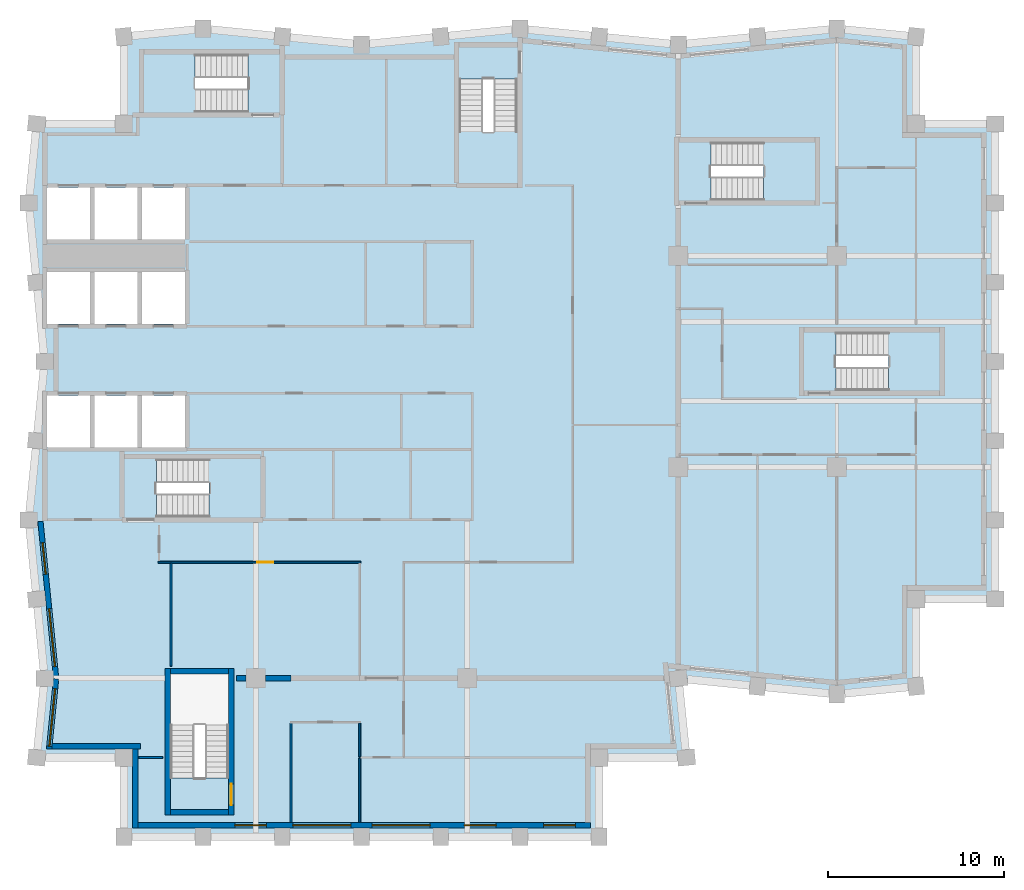
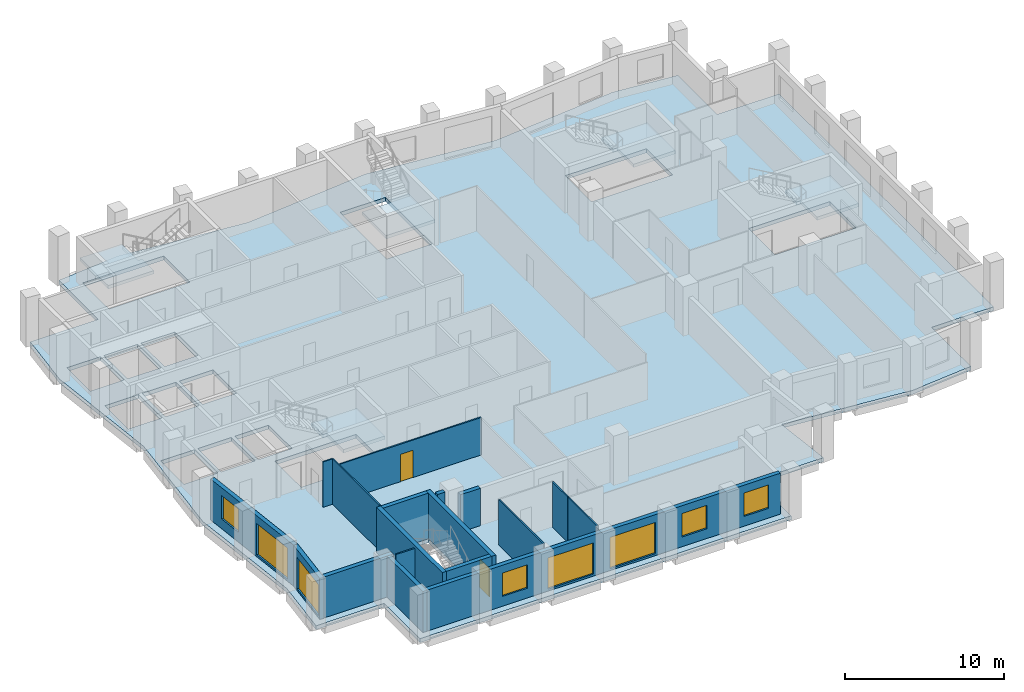
# One storey, part 2 of 8: 18 walls, 8 windows, 6 slabs, 2 doors, 10 openings, 5 elements without a shape of their own.
"""IFC4 building model written with IfcOpenShell, lengths in metres."""

from ifc_helpers import new_model, si_unit, direction, frame, frame_2d, origin, place, context, subcontext, project, spatial, polyline, rectangle, outline, extrude, material, layer, layer_set, type_object, element, fill, aggregate, save


model = new_model("IFC4")

# Units and contexts
model_context = context("Model", 3, precision=1e-05, world=origin(), true_north=direction((0.0, 1.0)))
body_context = subcontext(model_context, "Body", "Model", "MODEL_VIEW")
ifc_project = project(units=[si_unit("LENGTHUNIT", "METRE"), si_unit("AREAUNIT", "SQUARE_METRE"), si_unit("VOLUMEUNIT", "CUBIC_METRE"), si_unit("PLANEANGLEUNIT", "RADIAN"), si_unit("MASSUNIT", "GRAM", prefix="KILO")], contexts=[model_context])

# Site, building, storey
site_placement = place(None, origin())
site = spatial("IfcSite", under=ifc_project, at=site_placement, CompositionType="ELEMENT")
building_placement = place(site_placement, origin())
building = spatial("IfcBuilding", under=site, at=building_placement, Name="Brondeck Convention Tower", CompositionType="ELEMENT")
storey_placement = place(building_placement, frame((0.0, 0.0, 214.0)))
storey = spatial("IfcBuildingStorey", under=building, at=storey_placement, Name="L52", CompositionType="ELEMENT", Elevation=214.0)

# Slab
ifc_material_1 = material(Name="Concrete C35/45", Category="concrete")
ifc_layer_1 = layer(ifc_material_1, 0.300048828125)
ifc_layer_set_1 = layer_set([ifc_layer_1], Name="Composite floor slab 300")
slab_type_1 = type_object("IfcSlabType", Name="Composite floor slab 300", PredefinedType="FLOOR", material=ifc_layer_set_1)
slab_1_placement = place(storey_placement, frame((0.0, 0.0, -0.300048828125)))
element("IfcSlab", 1, at=slab_1_placement, inside=storey, type_object=slab_type_1, Name="STR-SL-L52", PredefinedType="FLOOR", context=body_context, shape_type="SweptSolid", body=[
    extrude(outline(polyline([(4.5, 22.5), (-0.449951171875, 22.5), (0.0, 27.0), (-0.89990234375, 36.0), (0.0, 45.0), (-0.89990234375, 54.0), (-0.449951171875, 58.5), (4.5, 58.5), (4.5, 63.449951171875), (9.0, 63.89990234375), (18.0, 63.0), (27.0, 63.89990234375), (36.0, 63.0), (45.0, 63.89990234375), (49.5, 63.449951171875), (49.5, 58.5), (54.0, 58.5), (54.0, 31.5), (49.5, 31.5), (49.5, 26.550048828125), (45.0, 26.10009765625), (36.0, 27.0), (36.449951171875, 22.5), (31.5, 22.5), (31.5, 18.0), (4.5, 18.0), (4.5, 22.5)]), holes=[polyline([(2.574951171875, 43.074951171875), (0.125, 43.074951171875), (0.125, 40.125), (2.574951171875, 40.125), (2.574951171875, 43.074951171875)]), polyline([(5.27490234375, 40.125), (5.27490234375, 43.074951171875), (2.824951171875, 43.074951171875), (2.824951171875, 40.125), (5.27490234375, 40.125)]), polyline([(7.97509765625, 40.125), (7.97509765625, 43.074951171875), (5.52490234375, 43.074951171875), (5.52490234375, 40.125), (7.97509765625, 40.125)]), polyline([(2.574951171875, 47.125), (2.574951171875, 50.074951171875), (0.125, 50.074951171875), (0.125, 47.125), (2.574951171875, 47.125)]), polyline([(5.27490234375, 47.125), (5.27490234375, 50.074951171875), (2.824951171875, 50.074951171875), (2.824951171875, 47.125), (5.27490234375, 47.125)]), polyline([(7.97509765625, 47.125), (7.97509765625, 50.074951171875), (5.52490234375, 50.074951171875), (5.52490234375, 47.125), (7.97509765625, 47.125)]), polyline([(2.574951171875, 51.925048828125), (2.574951171875, 54.875), (0.125, 54.875), (0.125, 51.925048828125), (2.574951171875, 51.925048828125)]), polyline([(5.27490234375, 51.925048828125), (5.27490234375, 54.875), (2.824951171875, 54.875), (2.824951171875, 51.925048828125), (5.27490234375, 51.925048828125)]), polyline([(10.447998046875, 27.248046875), (7.152099609375, 27.248046875), (7.152099609375, 21.35205078125), (10.447998046875, 21.35205078125), (10.447998046875, 27.248046875)]), polyline([(12.248046875, 36.152099609375), (12.248046875, 39.447998046875), (6.35205078125, 39.447998046875), (6.35205078125, 36.152099609375), (12.248046875, 36.152099609375)]), polyline([(50.847900390625, 43.35205078125), (50.847900390625, 46.64794921875), (44.951904296875, 46.64794921875), (44.951904296875, 43.35205078125), (50.847900390625, 43.35205078125)]), polyline([(7.97509765625, 51.925048828125), (7.97509765625, 54.875), (5.52490234375, 54.875), (5.52490234375, 51.925048828125), (7.97509765625, 51.925048828125)]), polyline([(43.748046875, 54.152099609375), (43.748046875, 57.447998046875), (37.85205078125, 57.447998046875), (37.85205078125, 54.152099609375), (43.748046875, 54.152099609375)]), polyline([(23.552001953125, 55.152099609375), (26.847900390625, 55.152099609375), (26.847900390625, 61.048095703125), (23.552001953125, 61.048095703125), (23.552001953125, 55.152099609375)]), polyline([(5.652099609375, 62.447998046875), (5.652099609375, 59.152099609375), (11.548095703125, 59.152099609375), (11.548095703125, 62.447998046875), (5.652099609375, 62.447998046875)])]), origin(), (0.0, 0.0, 1.0), 0.300048828125),
])

# Stair, slab
ifc_material_2 = material(Name="Precast concrete C50/60", Category="concrete")
stair_type = type_object("IfcStairType", Name="Core stair 22 risers 172.73 mm riser 300 mm going 1350 wide", PredefinedType="HALF_TURN_STAIR", material=ifc_material_2)
stair_1_placement = place(storey_placement, origin())
stair_1 = element("IfcStair", 2, at=stair_1_placement, inside=storey, type_object=stair_type, Name="ST-1 L52 stair", PredefinedType="HALF_TURN_STAIR")
ifc_layer_2 = layer(ifc_material_2, 0.25)
ifc_layer_set_2 = layer_set([ifc_layer_2], Name="Core stair landing 250 Precast concrete C50/60")
slab_type_2 = type_object("IfcSlabType", Name="Core stair landing 250 Precast concrete C50/60", PredefinedType="LANDING", material=ifc_layer_set_2)
slab_2_placement = place(storey_placement, frame((0.0, 0.0, 1.64990234375)))
slab_2 = element("IfcSlab", 3, at=slab_2_placement, type_object=slab_type_2, Name="ST-1 landing 1", PredefinedType="LANDING", context=body_context, shape_type="SweptSolid", body=[
    extrude(outline(polyline([(9.347900390625, 37.5), (9.35009765625, 37.5), (9.35009765625, 38.10009765625), (9.050048828125, 38.10009765625), (9.050048828125, 39.570068359375), (12.3701171875, 39.570068359375), (12.3701171875, 36.030029296875), (9.347900390625, 36.030029296875), (9.347900390625, 37.5)])), origin(), (0.0, 0.0, 1.0), 0.25),
])
aggregate(stair_1, [slab_2])

stair_2_placement = place(storey_placement, origin())
stair_2 = element("IfcStair", 4, at=stair_2_placement, inside=storey, type_object=stair_type, Name="ST-2 L52 stair", PredefinedType="HALF_TURN_STAIR")
slab_3_placement = place(storey_placement, frame((0.0, 0.0, 1.64990234375)))
slab_3 = element("IfcSlab", 5, at=slab_3_placement, type_object=slab_type_2, Name="ST-2 landing 1", PredefinedType="LANDING", context=body_context, shape_type="SweptSolid", body=[
    extrude(outline(polyline([(23.429931640625, 58.052001953125), (24.89990234375, 58.052001953125), (24.89990234375, 58.050048828125), (25.5, 58.050048828125), (25.5, 58.35009765625), (26.969970703125, 58.35009765625), (26.969970703125, 55.030029296875), (23.429931640625, 55.030029296875), (23.429931640625, 58.052001953125)])), origin(), (0.0, 0.0, 1.0), 0.25),
])
aggregate(stair_2, [slab_3])

stair_3_placement = place(storey_placement, origin())
stair_3 = element("IfcStair", 6, at=stair_3_placement, inside=storey, type_object=stair_type, Name="ST-3 L52 stair", PredefinedType="HALF_TURN_STAIR")
slab_4_placement = place(storey_placement, frame((0.0, 0.0, 1.64990234375)))
slab_4 = element("IfcSlab", 7, at=slab_4_placement, type_object=slab_type_2, Name="ST-3 landing 1", PredefinedType="LANDING", context=body_context, shape_type="SweptSolid", body=[
    extrude(outline(polyline([(8.85009765625, 60.5), (8.85009765625, 59.030029296875), (5.530029296875, 59.030029296875), (5.530029296875, 62.570068359375), (8.552001953125, 62.570068359375), (8.552001953125, 61.10009765625), (8.550048828125, 61.10009765625), (8.550048828125, 60.5), (8.85009765625, 60.5)])), origin(), (0.0, 0.0, 1.0), 0.25),
])
aggregate(stair_3, [slab_4])

stair_4_placement = place(storey_placement, origin())
stair_4 = element("IfcStair", 8, at=stair_4_placement, inside=storey, type_object=stair_type, Name="ST-AE L52 stair", PredefinedType="HALF_TURN_STAIR")
slab_5_placement = place(storey_placement, frame((0.0, 0.0, 1.64990234375)))
slab_5 = element("IfcSlab", 9, at=slab_5_placement, type_object=slab_type_2, Name="ST-AE landing 1", PredefinedType="LANDING", context=body_context, shape_type="SweptSolid", body=[
    extrude(outline(polyline([(40.847900390625, 55.5), (40.85009765625, 55.5), (40.85009765625, 56.10009765625), (40.550048828125, 56.10009765625), (40.550048828125, 57.570068359375), (43.8701171875, 57.570068359375), (43.8701171875, 54.030029296875), (40.847900390625, 54.030029296875), (40.847900390625, 55.5)])), origin(), (0.0, 0.0, 1.0), 0.25),
])
aggregate(stair_4, [slab_5])

stair_5_placement = place(storey_placement, origin())
stair_5 = element("IfcStair", 10, at=stair_5_placement, inside=storey, type_object=stair_type, Name="ST-AF L52 stair", PredefinedType="HALF_TURN_STAIR")
slab_6_placement = place(storey_placement, frame((0.0, 0.0, 1.64990234375)))
slab_6 = element("IfcSlab", 11, at=slab_6_placement, type_object=slab_type_2, Name="ST-AF landing 1", PredefinedType="LANDING", context=body_context, shape_type="SweptSolid", body=[
    extrude(outline(polyline([(47.947998046875, 44.699951171875), (47.949951171875, 44.699951171875), (47.949951171875, 45.300048828125), (47.64990234375, 45.300048828125), (47.64990234375, 46.77001953125), (50.969970703125, 46.77001953125), (50.969970703125, 43.22998046875), (47.947998046875, 43.22998046875), (47.947998046875, 44.699951171875)])), origin(), (0.0, 0.0, 1.0), 0.25),
])
aggregate(stair_5, [slab_6])

# Walls
ifc_material_3 = material(Name="Concrete compartment wall C30/37", Category="concrete")
ifc_layer_3 = layer(ifc_material_3, 0.300048828125)
ifc_layer_set_3 = layer_set([ifc_layer_3], Name="Compartment wall 300")
wall_type_1 = type_object("IfcWallType", Name="Compartment wall 300", PredefinedType="PARTITIONING", material=ifc_layer_set_3)
wall_1_placement = place(storey_placement, frame((10.89990234375, 27.0, 0.0), z_axis=(0.0, 0.0, 1.0), x_axis=(1.0, 0.0, 0.0)))
element("IfcWall", 12, at=wall_1_placement, inside=storey, type_object=wall_type_1, Name="FLR-L52-W013", PredefinedType="PARTITIONING", context=body_context, shape_type="SweptSolid", body=[
    extrude(rectangle(XDim=0.545166015625, YDim=0.300048828125, at=frame_2d((0.2724609375, 0.0))), origin(), (0.0, 0.0, 1.0), 3.47998046875),
])
wall_2_placement = place(storey_placement, frame((12.554931640625, 27.0, 0.0), z_axis=(0.0, 0.0, 1.0), x_axis=(1.0, 0.0, 0.0)))
element("IfcWall", 13, at=wall_2_placement, inside=storey, type_object=wall_type_1, Name="FLR-L52-W014", PredefinedType="PARTITIONING", context=body_context, shape_type="SweptSolid", body=[
    extrude(rectangle(XDim=1.445068359375, YDim=0.300048828125, at=frame_2d((0.72265625, 0.0))), origin(), (0.0, 0.0, 1.0), 2.8798828125),
])

# Wall, openings, windows
ifc_material_4 = material(Name="Precast concrete C50/60 bronze finish", Category="concrete")
ifc_layer_4 = layer(ifc_material_4, 0.070068359375, Name="Bronze precast facing")
ifc_material_5 = material(Name="Mineral wool")
ifc_layer_5 = layer(ifc_material_5, 0.159912109375, Name="Insulation")
ifc_layer_6 = layer(ifc_material_1, 0.070068359375, Name="Backing")
ifc_layer_set_4 = layer_set([ifc_layer_4, ifc_layer_5, ifc_layer_6], Name="External infill wall, precast concrete C50/60 bronze facing")
wall_type_2 = type_object("IfcWallType", Name="External infill wall, precast concrete C50/60 bronze facing", PredefinedType="SOLIDWALL", material=ifc_layer_set_4)
wall_3_placement = place(storey_placement, frame((31.0, 18.64990234375, 0.0), z_axis=(0.0, 0.0, 1.0), x_axis=(-1.0, 0.0, 0.0)))
wall_3 = element("IfcWall", 14, at=wall_3_placement, inside=storey, type_object=wall_type_2, Name="ENV-EW-L52-P2-B-S18-01", PredefinedType="SOLIDWALL", context=body_context, shape_type="SweptSolid", body=[
    extrude(rectangle(XDim=25.699951171875, YDim=0.300048828125, at=frame_2d((12.85009765625, 0.0))), origin(), (0.0, 0.0, 1.0), 3.14990234375),
])
opening_1_placement = place(wall_3_placement, frame((0.85009765625, 0.0, 0.75)))
opening_1 = element("IfcOpeningElement", 15, at=opening_1_placement, cuts=wall_3, Name="Opening W10", PredefinedType="OPENING", context=body_context, shape_type="SweptSolid", body=[
    extrude(rectangle(XDim=1.800048828125, YDim=1.800048828125, at=frame_2d((0.89990234375, 0.89990234375))), frame((0.0, 0.159912109375, 0.0), z_axis=(0.0, -1.0, 0.0), x_axis=(1.0, 0.0, 0.0)), (0.0, 0.0, 1.0), 0.320068359375),
])
opening_2_placement = place(wall_3_placement, frame((5.35009765625, 0.0, 0.75)))
opening_2 = element("IfcOpeningElement", 16, at=opening_2_placement, cuts=wall_3, Name="Opening W10", PredefinedType="OPENING", context=body_context, shape_type="SweptSolid", body=[
    extrude(rectangle(XDim=1.800048828125, YDim=1.800048828125, at=frame_2d((0.89990234375, 0.89990234375))), frame((0.0, 0.159912109375, 0.0), z_axis=(0.0, -1.0, 0.0), x_axis=(1.0, 0.0, 0.0)), (0.0, 0.0, 1.0), 0.320068359375),
])
opening_3_placement = place(wall_3_placement, frame((9.10009765625, 0.0, 0.14990234375)))
opening_3 = element("IfcOpeningElement", 17, at=opening_3_placement, cuts=wall_3, Name="Opening W9", PredefinedType="OPENING", context=body_context, shape_type="SweptSolid", body=[
    extrude(rectangle(XDim=3.300048828125, YDim=2.39990234375, at=frame_2d((1.64990234375, 1.199951171875))), frame((0.0, 0.159912109375, 0.0), z_axis=(0.0, -1.0, 0.0), x_axis=(1.0, 0.0, 0.0)), (0.0, 0.0, 1.0), 0.320068359375),
])
opening_4_placement = place(wall_3_placement, frame((13.60009765625, 0.0, 0.14990234375)))
opening_4 = element("IfcOpeningElement", 18, at=opening_4_placement, cuts=wall_3, Name="Opening W9", PredefinedType="OPENING", context=body_context, shape_type="SweptSolid", body=[
    extrude(rectangle(XDim=3.300048828125, YDim=2.39990234375, at=frame_2d((1.64990234375, 1.199951171875))), frame((0.0, 0.159912109375, 0.0), z_axis=(0.0, -1.0, 0.0), x_axis=(1.0, 0.0, 0.0)), (0.0, 0.0, 1.0), 0.320068359375),
])
opening_5_placement = place(wall_3_placement, frame((18.39990234375, 0.0, 0.75)))
opening_5 = element("IfcOpeningElement", 19, at=opening_5_placement, cuts=wall_3, Name="Opening W10", PredefinedType="OPENING", context=body_context, shape_type="SweptSolid", body=[
    extrude(rectangle(XDim=1.800048828125, YDim=1.800048828125, at=frame_2d((0.89990234375, 0.89990234375))), frame((0.0, 0.159912109375, 0.0), z_axis=(0.0, -1.0, 0.0), x_axis=(1.0, 0.0, 0.0)), (0.0, 0.0, 1.0), 0.320068359375),
])
ifc_material_6 = material(Name="Bronze tinted double glazing", Category="glass")
window_type_1 = type_object("IfcWindowType", Name="Glazed flute window, bronze tinted", PartitioningType="SINGLE_PANEL", PredefinedType="WINDOW", material=ifc_material_6)
window_1_placement = place(opening_3_placement, origin())
window_1 = element("IfcWindow", 20, at=window_1_placement, inside=storey, type_object=window_type_1, Name="ENV-WN-L52-P2-B-S18-04", OverallHeight=2.39990234375, OverallWidth=3.300048828125, PartitioningType="SINGLE_PANEL", PredefinedType="WINDOW", context=body_context, shape_type="SweptSolid", body=[
    extrude(rectangle(XDim=3.300048828125, YDim=2.39990234375, at=frame_2d((1.64990234375, 1.199951171875))), frame((0.0, 0.030029296875, 0.0), z_axis=(0.0, -1.0, 0.0), x_axis=(1.0, 0.0, 0.0)), (0.0, 0.0, 1.0), 0.06005859375),
])
fill(opening_3, window_1)
window_2_placement = place(opening_4_placement, origin())
window_2 = element("IfcWindow", 21, at=window_2_placement, inside=storey, type_object=window_type_1, Name="ENV-WN-L52-P2-B-S18-03", OverallHeight=2.39990234375, OverallWidth=3.300048828125, PartitioningType="SINGLE_PANEL", PredefinedType="WINDOW", context=body_context, shape_type="SweptSolid", body=[
    extrude(rectangle(XDim=3.300048828125, YDim=2.39990234375, at=frame_2d((1.64990234375, 1.199951171875))), frame((0.0, 0.030029296875, 0.0), z_axis=(0.0, -1.0, 0.0), x_axis=(1.0, 0.0, 0.0)), (0.0, 0.0, 1.0), 0.06005859375),
])
fill(opening_4, window_2)
window_type_2 = type_object("IfcWindowType", Name="Punched window, bronze tinted", PartitioningType="SINGLE_PANEL", PredefinedType="WINDOW", material=ifc_material_6)
window_3_placement = place(opening_1_placement, origin())
window_3 = element("IfcWindow", 22, at=window_3_placement, inside=storey, type_object=window_type_2, Name="ENV-WN-L52-P2-B-S18-06", OverallHeight=1.800048828125, OverallWidth=1.800048828125, PartitioningType="SINGLE_PANEL", PredefinedType="WINDOW", context=body_context, shape_type="SweptSolid", body=[
    extrude(rectangle(XDim=1.800048828125, YDim=1.800048828125, at=frame_2d((0.89990234375, 0.89990234375))), frame((0.0, 0.030029296875, 0.0), z_axis=(0.0, -1.0, 0.0), x_axis=(1.0, 0.0, 0.0)), (0.0, 0.0, 1.0), 0.06005859375),
])
fill(opening_1, window_3)
window_4_placement = place(opening_2_placement, origin())
window_4 = element("IfcWindow", 23, at=window_4_placement, inside=storey, type_object=window_type_2, Name="ENV-WN-L52-P2-B-S18-05", OverallHeight=1.800048828125, OverallWidth=1.800048828125, PartitioningType="SINGLE_PANEL", PredefinedType="WINDOW", context=body_context, shape_type="SweptSolid", body=[
    extrude(rectangle(XDim=1.800048828125, YDim=1.800048828125, at=frame_2d((0.89990234375, 0.89990234375))), frame((0.0, 0.030029296875, 0.0), z_axis=(0.0, -1.0, 0.0), x_axis=(1.0, 0.0, 0.0)), (0.0, 0.0, 1.0), 0.06005859375),
])
fill(opening_2, window_4)
window_5_placement = place(opening_5_placement, origin())
window_5 = element("IfcWindow", 24, at=window_5_placement, inside=storey, type_object=window_type_2, Name="ENV-WN-L52-P2-B-S18-02", OverallHeight=1.800048828125, OverallWidth=1.800048828125, PartitioningType="SINGLE_PANEL", PredefinedType="WINDOW", context=body_context, shape_type="SweptSolid", body=[
    extrude(rectangle(XDim=1.800048828125, YDim=1.800048828125, at=frame_2d((0.89990234375, 0.89990234375))), frame((0.0, 0.030029296875, 0.0), z_axis=(0.0, -1.0, 0.0), x_axis=(1.0, 0.0, 0.0)), (0.0, 0.0, 1.0), 0.06005859375),
])
fill(opening_5, window_5)

wall_4_placement = place(storey_placement, frame((0.65478515625, 26.985107421875, 0.0), z_axis=(0.0, 0.0, 1.0), x_axis=(-0.099509105781, 0.995036651519, 0.0)))
wall_4 = element("IfcWall", 25, at=wall_4_placement, inside=storey, type_object=wall_type_2, Name="ENV-EW-L52-P2-B-W-06", PredefinedType="SOLIDWALL", context=body_context, shape_type="SweptSolid", body=[
    extrude(rectangle(XDim=8.974609375, YDim=0.300048828125, at=frame_2d((4.4873046875, 0.0))), origin(), (0.0, 0.0, 1.0), 3.14990234375),
])
opening_6_placement = place(wall_4_placement, frame((0.691162109375, 0.0, 0.14990234375)))
opening_6 = element("IfcOpeningElement", 26, at=opening_6_placement, cuts=wall_4, Name="Opening W9", PredefinedType="OPENING", context=body_context, shape_type="SweptSolid", body=[
    extrude(rectangle(XDim=3.300048828125, YDim=2.39990234375, at=frame_2d((1.64990234375, 1.199951171875))), frame((0.0, 0.159912109375, 0.0), z_axis=(0.0, -1.0, 0.0), x_axis=(1.0, 0.0, 0.0)), (0.0, 0.0, 1.0), 0.320068359375),
])
opening_7_placement = place(wall_4_placement, frame((5.963623046875, 0.0, 0.75)))
opening_7 = element("IfcOpeningElement", 27, at=opening_7_placement, cuts=wall_4, Name="Opening W10", PredefinedType="OPENING", context=body_context, shape_type="SweptSolid", body=[
    extrude(rectangle(XDim=1.800048828125, YDim=1.800048828125, at=frame_2d((0.89990234375, 0.89990234375))), frame((0.0, 0.159912109375, 0.0), z_axis=(0.0, -1.0, 0.0), x_axis=(1.0, 0.0, 0.0)), (0.0, 0.0, 1.0), 0.320068359375),
])
window_6_placement = place(opening_6_placement, origin())
window_6 = element("IfcWindow", 28, at=window_6_placement, inside=storey, type_object=window_type_1, Name="ENV-WN-L52-P2-B-W-07", OverallHeight=2.39990234375, OverallWidth=3.300048828125, PartitioningType="SINGLE_PANEL", PredefinedType="WINDOW", context=body_context, shape_type="SweptSolid", body=[
    extrude(rectangle(XDim=3.300048828125, YDim=2.39990234375, at=frame_2d((1.64990234375, 1.199951171875))), frame((0.0, 0.030029296875, 0.0), z_axis=(0.0, -1.0, 0.0), x_axis=(1.0, 0.0, 0.0)), (0.0, 0.0, 1.0), 0.06005859375),
])
fill(opening_6, window_6)
window_7_placement = place(opening_7_placement, origin())
window_7 = element("IfcWindow", 29, at=window_7_placement, inside=storey, type_object=window_type_2, Name="ENV-WN-L52-P2-B-W-06", OverallHeight=1.800048828125, OverallWidth=1.800048828125, PartitioningType="SINGLE_PANEL", PredefinedType="WINDOW", context=body_context, shape_type="SweptSolid", body=[
    extrude(rectangle(XDim=1.800048828125, YDim=1.800048828125, at=frame_2d((0.89990234375, 0.89990234375))), frame((0.0, 0.030029296875, 0.0), z_axis=(0.0, -1.0, 0.0), x_axis=(1.0, 0.0, 0.0)), (0.0, 0.0, 1.0), 0.06005859375),
])
fill(opening_7, window_7)

# Wall, opening, window
wall_5_placement = place(storey_placement, frame((0.251708984375, 22.985107421875, 0.0), z_axis=(0.0, 0.0, 1.0), x_axis=(0.09954596771, 0.995032964435, 0.0)))
wall_5 = element("IfcWall", 30, at=wall_5_placement, inside=storey, type_object=wall_type_2, Name="ENV-EW-L52-P2-B-W-08", PredefinedType="SOLIDWALL", context=body_context, shape_type="SweptSolid", body=[
    extrude(rectangle(XDim=4.0048828125, YDim=0.300048828125, at=frame_2d((2.00244140625, 0.0))), origin(), (0.0, 0.0, 1.0), 3.14990234375),
])
opening_8_placement = place(wall_5_placement, frame((0.14990234375, 0.0, 0.14990234375)))
opening_8 = element("IfcOpeningElement", 31, at=opening_8_placement, cuts=wall_5, Name="Opening W9", PredefinedType="OPENING", context=body_context, shape_type="SweptSolid", body=[
    extrude(rectangle(XDim=3.300048828125, YDim=2.39990234375, at=frame_2d((1.64990234375, 1.199951171875))), frame((0.0, 0.159912109375, 0.0), z_axis=(0.0, -1.0, 0.0), x_axis=(1.0, 0.0, 0.0)), (0.0, 0.0, 1.0), 0.320068359375),
])
window_8_placement = place(opening_8_placement, origin())
window_8 = element("IfcWindow", 32, at=window_8_placement, inside=storey, type_object=window_type_1, Name="ENV-WN-L52-P2-B-W-08", OverallHeight=2.39990234375, OverallWidth=3.300048828125, PartitioningType="SINGLE_PANEL", PredefinedType="WINDOW", context=body_context, shape_type="SweptSolid", body=[
    extrude(rectangle(XDim=3.300048828125, YDim=2.39990234375, at=frame_2d((1.64990234375, 1.199951171875))), frame((0.0, 0.030029296875, 0.0), z_axis=(0.0, -1.0, 0.0), x_axis=(1.0, 0.0, 0.0)), (0.0, 0.0, 1.0), 0.06005859375),
])
fill(opening_8, window_8)

# Walls
wall_6_placement = place(storey_placement, frame((5.449951171875, 23.14990234375, 0.0), z_axis=(0.0, 0.0, 1.0), x_axis=(-1.0, 0.0, 0.0)))
element("IfcWall", 33, at=wall_6_placement, inside=storey, type_object=wall_type_2, Name="ENV-EW-L52-P2-NC-SWB18-01", PredefinedType="SOLIDWALL", context=body_context, shape_type="SweptSolid", body=[
    extrude(rectangle(XDim=5.025634765625, YDim=0.300048828125, at=frame_2d((2.5126953125, 0.0))), origin(), (0.0, 0.0, 1.0), 3.14990234375),
])
wall_7_placement = place(storey_placement, frame((5.14990234375, 18.5, 0.0), z_axis=(0.0, 0.0, 1.0), x_axis=(0.0, 1.0, 0.0)))
element("IfcWall", 34, at=wall_7_placement, inside=storey, type_object=wall_type_2, Name="ENV-EW-L52-P2-NC-SWB18-02", PredefinedType="SOLIDWALL", context=body_context, shape_type="SweptSolid", body=[
    extrude(rectangle(XDim=4.5, YDim=0.300048828125, at=frame_2d((2.25, 0.0))), origin(), (0.0, 0.0, 1.0), 3.14990234375),
])
ifc_material_7 = material(Name="Gypsum board partition on steel studs", Category="steel")
ifc_layer_7 = layer(ifc_material_7, 0.10009765625)
ifc_layer_set_5 = layer_set([ifc_layer_7], Name="Room partition 100")
wall_type_3 = type_object("IfcWallType", Name="Room partition 100", PredefinedType="PARTITIONING", material=ifc_layer_set_5)
wall_8_placement = place(storey_placement, frame((17.89990234375, 22.449951171875, 0.0), z_axis=(0.0, 0.0, 1.0), x_axis=(0.0, -1.0, 0.0)))
element("IfcWall", 35, at=wall_8_placement, inside=storey, type_object=wall_type_3, Name="FLR-L52-W001", PredefinedType="PARTITIONING", context=body_context, shape_type="SweptSolid", body=[
    extrude(rectangle(XDim=3.6298828125, YDim=0.10009765625, at=frame_2d((1.81494140625, 0.0))), origin(), (0.0, 0.0, 1.0), 3.47998046875),
])
wall_9_placement = place(storey_placement, frame((5.35009765625, 22.5, 0.0), z_axis=(0.0, 0.0, 1.0), x_axis=(1.0, 0.0, 0.0)))
element("IfcWall", 36, at=wall_9_placement, inside=storey, type_object=wall_type_3, Name="FLR-L52-W002", PredefinedType="PARTITIONING", context=body_context, shape_type="SweptSolid", body=[
    extrude(rectangle(XDim=1.349853515625, YDim=0.10009765625, at=frame_2d((0.6748046875, 0.0))), origin(), (0.0, 0.0, 1.0), 3.47998046875),
])
wall_10_placement = place(storey_placement, frame((17.89990234375, 22.550048828125, 0.0), z_axis=(0.0, 0.0, 1.0), x_axis=(0.0, 1.0, 0.0)))
element("IfcWall", 37, at=wall_10_placement, inside=storey, type_object=wall_type_3, Name="FLR-L52-W006", PredefinedType="PARTITIONING", context=body_context, shape_type="SweptSolid", body=[
    extrude(rectangle(XDim=1.89990234375, YDim=0.10009765625, at=frame_2d((0.949951171875, 0.0))), origin(), (0.0, 0.0, 1.0), 3.47998046875),
])
wall_11_placement = place(storey_placement, frame((14.0, 24.449951171875, 0.0), z_axis=(0.0, 0.0, 1.0), x_axis=(0.0, -1.0, 0.0)))
element("IfcWall", 38, at=wall_11_placement, inside=storey, type_object=wall_type_3, Name="FLR-L52-W009", PredefinedType="PARTITIONING", context=body_context, shape_type="SweptSolid", body=[
    extrude(rectangle(XDim=5.6298828125, YDim=0.10009765625, at=frame_2d((2.81494140625, 0.0))), origin(), (0.0, 0.0, 1.0), 3.47998046875),
])
wall_12_placement = place(storey_placement, frame((7.172119140625, 33.550048828125, 0.0), z_axis=(0.0, 0.0, 1.0), x_axis=(0.0, -1.0, 0.0)))
element("IfcWall", 39, at=wall_12_placement, inside=storey, type_object=wall_type_3, Name="FLR-L52-W024", PredefinedType="PARTITIONING", context=body_context, shape_type="SweptSolid", body=[
    extrude(rectangle(XDim=5.85009765625, YDim=0.10009765625, at=frame_2d((2.925048828125, 0.0))), origin(), (0.0, 0.0, 1.0), 3.47998046875),
])
wall_13_placement = place(storey_placement, frame((7.172119140625, 33.60009765625, 0.0), z_axis=(0.0, 0.0, 1.0), x_axis=(-1.0, 0.0, 0.0)))
element("IfcWall", 40, at=wall_13_placement, inside=storey, type_object=wall_type_3, Name="FLR-L52-W026", PredefinedType="PARTITIONING", context=body_context, shape_type="SweptSolid", body=[
    extrude(rectangle(XDim=0.72216796875, YDim=0.10009765625, at=frame_2d((0.361083984375, 0.0))), origin(), (0.0, 0.0, 1.0), 3.47998046875),
])

# Wall, opening, door
wall_14_placement = place(storey_placement, frame((17.949951171875, 33.60009765625, 0.0), z_axis=(0.0, 0.0, 1.0), x_axis=(-1.0, 0.0, 0.0)))
wall_14 = element("IfcWall", 41, at=wall_14_placement, inside=storey, type_object=wall_type_3, Name="FLR-L52-W027", PredefinedType="PARTITIONING", context=body_context, shape_type="SweptSolid", body=[
    extrude(rectangle(XDim=10.77783203125, YDim=0.10009765625, at=frame_2d((5.388916015625, 0.0))), origin(), (0.0, 0.0, 1.0), 2.8798828125),
])
opening_9_placement = place(wall_14_placement, frame((4.964111328125, 0.0, 0.0)))
opening_9 = element("IfcOpeningElement", 42, at=opening_9_placement, cuts=wall_14, Name="Opening OF-L-012", PredefinedType="OPENING", context=body_context, shape_type="SweptSolid", body=[
    extrude(rectangle(XDim=0.89990234375, YDim=2.10009765625, at=frame_2d((0.449951171875, 1.050048828125))), frame((0.0, 0.06005859375, 0.0), z_axis=(0.0, -1.0, 0.0), x_axis=(1.0, 0.0, 0.0)), (0.0, 0.0, 1.0), 0.1201171875),
])
ifc_material_8 = material(Name="Solid timber door leaf", Category="wood")
door_type_1 = type_object("IfcDoorType", Name="Single door 900", OperationType="NOTDEFINED", PredefinedType="DOOR", material=ifc_material_8)
door_1_placement = place(opening_9_placement, origin())
door_1 = element("IfcDoor", 43, at=door_1_placement, inside=storey, type_object=door_type_1, Name="Door OF-L-012", OperationType="SINGLE_SWING_LEFT", OverallHeight=2.10009765625, OverallWidth=0.89990234375, PredefinedType="DOOR", context=body_context, shape_type="SweptSolid", body=[
    extrude(rectangle(XDim=0.89990234375, YDim=2.10009765625, at=frame_2d((0.449951171875, 1.050048828125))), frame((0.0, 0.02490234375, 0.0), z_axis=(0.0, -1.0, 0.0), x_axis=(1.0, 0.0, 0.0)), (0.0, 0.0, 1.0), 0.050048828125),
])
fill(opening_9, door_1)

# Walls
ifc_material_9 = material(Name="Concrete C50/60", Category="concrete")
ifc_layer_8 = layer(ifc_material_9, 0.300048828125)
ifc_layer_set_6 = layer_set([ifc_layer_8], Name="Stair enclosure wall 300 Concrete C50/60")
wall_type_4 = type_object("IfcWallType", Name="Stair enclosure wall 300 Concrete C50/60", PredefinedType="SHEAR", material=ifc_layer_set_6)
for number, where, z_axis, x_axis, name in (
    (44, (7.14990234375, 19.39990234375, 0.0), (0.0, 0.0, 1.0), (1.0, 0.0, 0.0), "L52 core wall"),
    (45, (7.14990234375, 27.39990234375, 0.0), (0.0, 0.0, 1.0), (1.0, 0.0, 0.0), "L52 core wall"),
):
    element("IfcWall", number, at=place(storey_placement, frame(where, z_axis=z_axis, x_axis=x_axis)), inside=storey, type_object=wall_type_4, Name=name, PredefinedType="SHEAR", context=body_context, shape_type="SweptSolid", body=[
        extrude(rectangle(XDim=3.300048828125, YDim=0.300048828125, at=frame_2d((1.64990234375, 0.0))), origin(), (0.0, 0.0, 1.0), 3.5),
    ])
wall_15_placement = place(storey_placement, frame((7.0, 19.25, 0.0), z_axis=(0.0, 0.0, 1.0), x_axis=(0.0, 1.0, 0.0)))
element("IfcWall", 46, at=wall_15_placement, inside=storey, type_object=wall_type_4, Name="L52 core wall", PredefinedType="SHEAR", context=body_context, shape_type="SweptSolid", body=[
    extrude(rectangle(XDim=8.300048828125, YDim=0.300048828125, at=frame_2d((4.14990234375, 0.0))), origin(), (0.0, 0.0, 1.0), 3.5),
])

# Wall, opening, door
wall_16_placement = place(storey_placement, frame((10.60009765625, 19.25, 0.0), z_axis=(0.0, 0.0, 1.0), x_axis=(0.0, 1.0, 0.0)))
wall_16 = element("IfcWall", 47, at=wall_16_placement, inside=storey, type_object=wall_type_4, Name="L52 core wall", PredefinedType="SHEAR", context=body_context, shape_type="SweptSolid", body=[
    extrude(rectangle(XDim=8.300048828125, YDim=0.300048828125, at=frame_2d((4.14990234375, 0.0))), origin(), (0.0, 0.0, 1.0), 3.5),
])
opening_10_placement = place(wall_16_placement, frame((0.550048828125, 0.0, 0.0)))
opening_10 = element("IfcOpeningElement", 48, at=opening_10_placement, cuts=wall_16, Name="Opening C29-18", PredefinedType="OPENING", context=body_context, shape_type="SweptSolid", body=[
    extrude(rectangle(XDim=1.199951171875, YDim=2.199951171875, at=frame_2d((0.60009765625, 1.10009765625))), frame((0.0, 0.159912109375, 0.0), z_axis=(0.0, -1.0, 0.0), x_axis=(1.0, 0.0, 0.0)), (0.0, 0.0, 1.0), 0.320068359375),
])
ifc_material_10 = material(Name="Steel fire door", Category="steel")
door_type_2 = type_object("IfcDoorType", Name="Stair door 1200x2200 EI 90", OperationType="NOTDEFINED", PredefinedType="DOOR", material=ifc_material_10)
door_2_placement = place(opening_10_placement, origin())
door_2 = element("IfcDoor", 49, at=door_2_placement, inside=storey, type_object=door_type_2, Name="L52 Stair door ST-BE", OperationType="SINGLE_SWING_RIGHT", OverallHeight=2.199951171875, OverallWidth=1.199951171875, PredefinedType="DOOR", context=body_context, shape_type="SweptSolid", body=[
    extrude(rectangle(XDim=1.199951171875, YDim=2.199951171875, at=frame_2d((0.60009765625, 1.10009765625))), frame((0.0, 0.02490234375, 0.0), z_axis=(0.0, -1.0, 0.0), x_axis=(1.0, 0.0, 0.0)), (0.0, 0.0, 1.0), 0.050048828125),
])
fill(opening_10, door_2)

save(model, "model.ifc")
